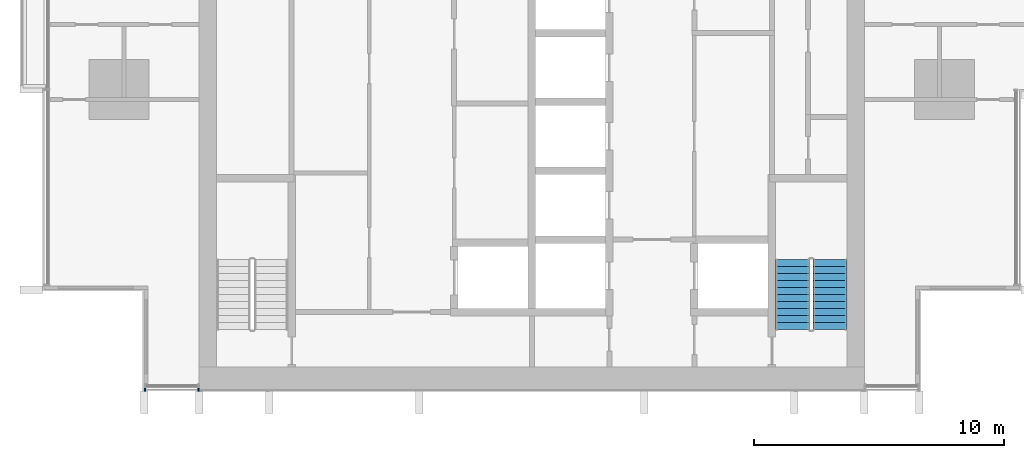
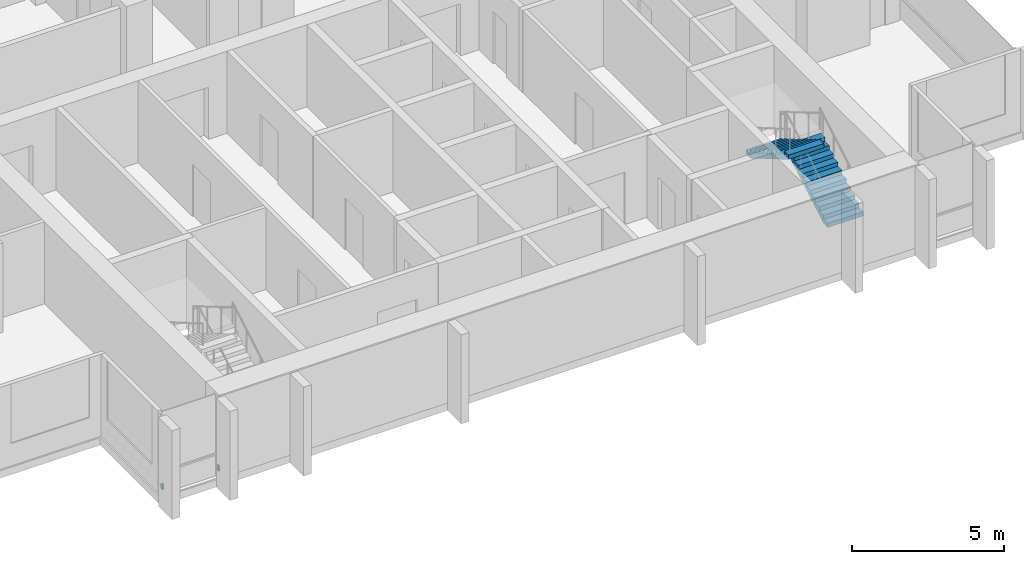
# One storey, part 12 of 17: 2 discrete accessories, 2 stair flights, 1 element without a shape of its own.
"""IFC4 building model written with IfcOpenShell, lengths in metres."""

from ifc_helpers import new_model, si_unit, direction, frame, origin, origin_2d, place, context, subcontext, project, spatial, polyline, rectangle, outline, extrude, material, type_object, element, aggregate, save


model = new_model("IFC4")

# Units and contexts
model_context = context("Model", 3, precision=1e-05, world=origin(), true_north=direction((0.0, 1.0)))
body_context = subcontext(model_context, "Body", "Model", "MODEL_VIEW")
ifc_project = project(units=[si_unit("LENGTHUNIT", "METRE"), si_unit("AREAUNIT", "SQUARE_METRE"), si_unit("VOLUMEUNIT", "CUBIC_METRE"), si_unit("PLANEANGLEUNIT", "RADIAN"), si_unit("MASSUNIT", "GRAM", prefix="KILO")], contexts=[model_context])

# Site, building, storey
site_placement = place(None, origin())
site = spatial("IfcSite", under=ifc_project, at=site_placement, CompositionType="ELEMENT")
building_placement = place(site_placement, origin())
building = spatial("IfcBuilding", under=site, at=building_placement, Name="Finial Court Residences", CompositionType="ELEMENT")
storey_placement = place(building_placement, frame((0.0, 0.0, 152.89990234375)))
storey = spatial("IfcBuildingStorey", under=building, at=storey_placement, Name="L37", CompositionType="ELEMENT", Elevation=152.89990234375)

# Stair, stair flights
ifc_material_1 = material(Name="Concrete C50/60", Category="concrete")
stair_type = type_object("IfcStairType", Name="Exit stair 22 risers of 163.6 mm", PredefinedType="HALF_TURN_STAIR", material=ifc_material_1)
stair_placement = place(storey_placement, origin())
stair = element("IfcStair", 1, at=stair_placement, inside=storey, type_object=stair_type, Name="L37 Exit stair ST-2", PredefinedType="HALF_TURN_STAIR")
stair_flight_type = type_object("IfcStairFlightType", Name="Exit stair flight", PredefinedType="STRAIGHT", material=ifc_material_1)
stair_flight_1_placement = place(storey_placement, frame((11.925048828125, -23.10009765625, 0.0), z_axis=(0.0, 0.0, 1.0), x_axis=(0.0, 1.0, 0.0)))
stair_flight_1 = element("IfcStairFlight", 2, at=stair_flight_1_placement, type_object=stair_flight_type, Name="ST-2 flight 1", NumberOfRisers=11, NumberOfTreads=10, PredefinedType="STRAIGHT", RiserHeight=0.163636364, TreadLength=0.28, context=body_context, shape_type="SweptSolid", body=[
    extrude(outline(polyline([(0.0, 0.0), (0.0, 0.16357421875), (0.280029296875, 0.16357421875), (0.280029296875, 0.327392578125), (0.56005859375, 0.327392578125), (0.56005859375, 0.490966796875), (0.840087890625, 0.490966796875), (0.840087890625, 0.654541015625), (1.1201171875, 0.654541015625), (1.1201171875, 0.818115234375), (1.39990234375, 0.818115234375), (1.39990234375, 0.98193359375), (1.679931640625, 0.98193359375), (1.679931640625, 1.1455078125), (1.9599609375, 1.1455078125), (1.9599609375, 1.30908203125), (2.239990234375, 1.30908203125), (2.239990234375, 1.47265625), (2.52001953125, 1.47265625), (2.52001953125, 1.636474609375), (2.800048828125, 1.636474609375), (2.800048828125, 1.800048828125), (2.800048828125, 1.462646484375), (0.297119140625, 0.0), (0.0, 0.0)])), frame((0.0, 0.675048828125, 0.0), z_axis=(0.0, -1.0, 0.0), x_axis=(1.0, 0.0, 0.0)), (0.0, 0.0, 1.0), 1.35009765625),
])
stair_flight_2_placement = place(storey_placement, frame((10.425048828125, -20.300048828125, 1.800048828125), z_axis=(0.0, 0.0, 1.0), x_axis=(0.0, -1.0, 0.0)))
stair_flight_2 = element("IfcStairFlight", 3, at=stair_flight_2_placement, type_object=stair_flight_type, Name="ST-2 flight 2", NumberOfRisers=11, NumberOfTreads=10, PredefinedType="STRAIGHT", RiserHeight=0.163636364, TreadLength=0.28, context=body_context, shape_type="SweptSolid", body=[
    extrude(outline(polyline([(0.0, 0.0), (0.0, 0.16357421875), (0.280029296875, 0.16357421875), (0.280029296875, 0.327392578125), (0.56005859375, 0.327392578125), (0.56005859375, 0.490966796875), (0.840087890625, 0.490966796875), (0.840087890625, 0.654541015625), (1.1201171875, 0.654541015625), (1.1201171875, 0.818115234375), (1.39990234375, 0.818115234375), (1.39990234375, 0.98193359375), (1.679931640625, 0.98193359375), (1.679931640625, 1.1455078125), (1.9599609375, 1.1455078125), (1.9599609375, 1.30908203125), (2.239990234375, 1.30908203125), (2.239990234375, 1.47265625), (2.52001953125, 1.47265625), (2.52001953125, 1.636474609375), (2.800048828125, 1.636474609375), (2.800048828125, 1.800048828125), (2.800048828125, 1.462646484375), (0.297119140625, 0.0), (0.0, 0.0)])), frame((0.0, 0.675048828125, 0.0), z_axis=(0.0, -1.0, 0.0), x_axis=(1.0, 0.0, 0.0)), (0.0, 0.0, 1.0), 1.35009765625),
])
aggregate(stair, [stair_flight_1, stair_flight_2])

# Discrete accessories
ifc_material_2 = material(Name="Stainless steel 316", Category="steel")
discrete_accessory_type = type_object("IfcDiscreteAccessoryType", Name="Fin bracket, stainless steel 60 x 122 x 200", PredefinedType="BRACKET", material=ifc_material_2)
for number, where, z_axis, x_axis, name in (
    (4, (-15.469970703125, -25.498779296875, 0.30029296875), (0.0, 0.0, 1.0), (1.0, 0.0, 0.0), "E-L37-FIN-S14-BRK"),
    (5, (-13.330078125, -25.498779296875, 0.30029296875), (0.0, 0.0, 1.0), (1.0, 0.0, 0.0), "E-L37-FIN-S15-BRK"),
):
    element("IfcDiscreteAccessory", number, at=place(storey_placement, frame(where, z_axis=z_axis, x_axis=x_axis)), inside=storey, type_object=discrete_accessory_type, Name=name, PredefinedType="BRACKET", context=body_context, shape_type="SweptSolid", body=[
        extrude(rectangle(XDim=0.06005859375, YDim=0.12255859375, at=origin_2d()), origin(), (0.0, 0.0, 1.0), 0.199951171875),
    ])

save(model, "model.ifc")
